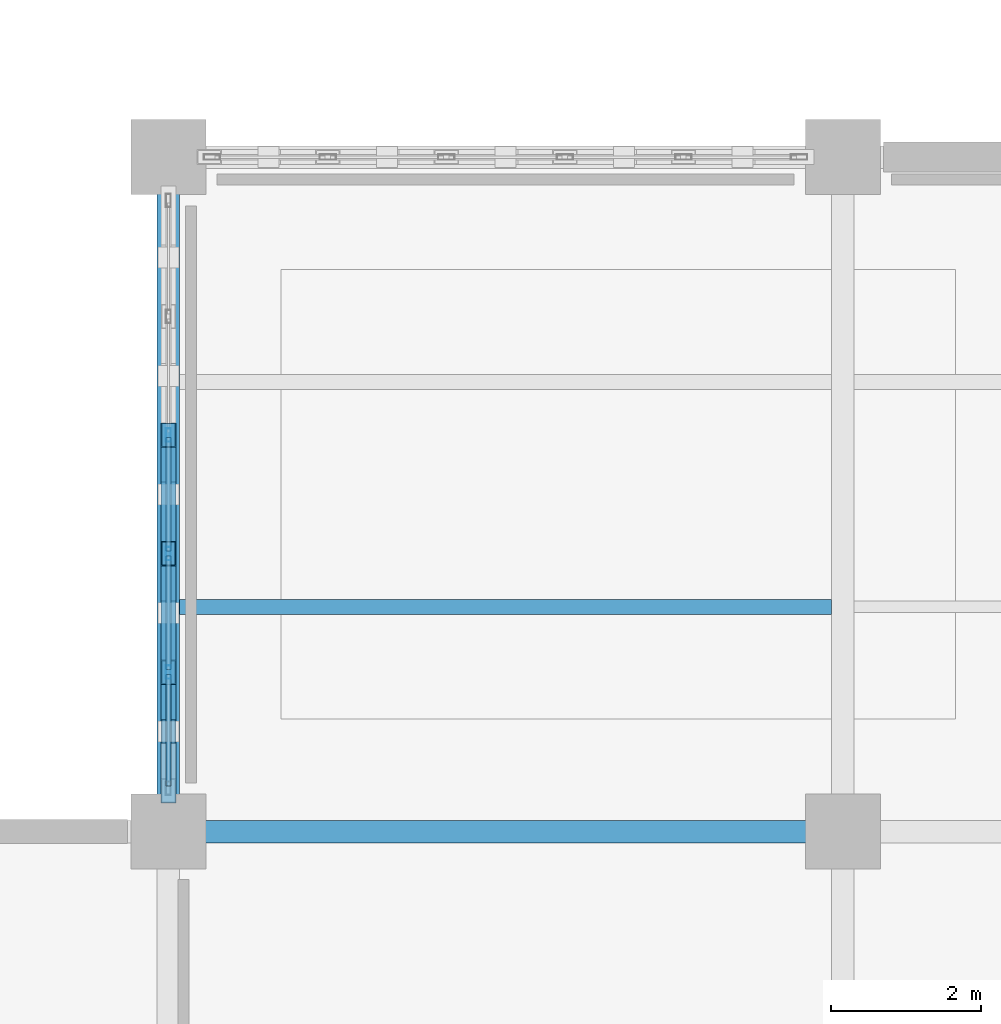
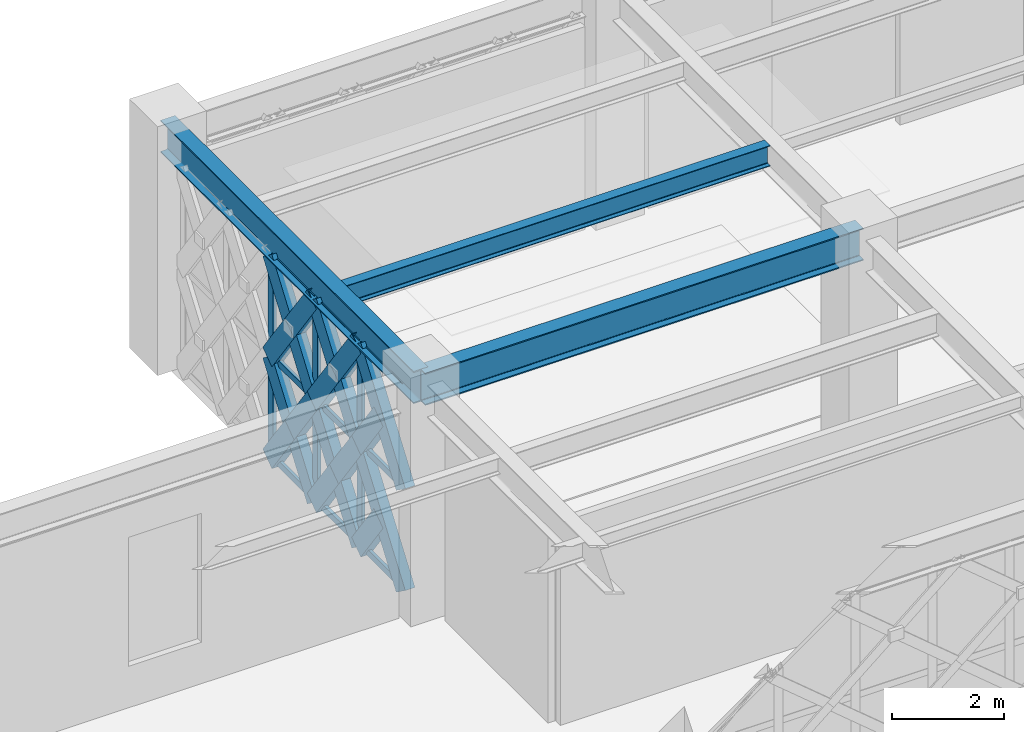
# One storey, part 40 of 140: 28 members, 3 beams, 1 element without a shape of its own.
"""IFC4 building model written with IfcOpenShell, lengths in metres."""

from ifc_helpers import new_model, si_unit, direction, frame, origin, origin_2d, place, context, subcontext, project, spatial, hollow_rectangle, i_section, extrude, material, material_profile, profile_set, type_object, element, aggregate, save


model = new_model("IFC4")

# Units and contexts
model_context = context("Model", 3, precision=1e-05, world=origin(), true_north=direction((0.0, 1.0)))
body_context = subcontext(model_context, "Body", "Model", "MODEL_VIEW")
ifc_project = project(units=[si_unit("LENGTHUNIT", "METRE"), si_unit("AREAUNIT", "SQUARE_METRE"), si_unit("VOLUMEUNIT", "CUBIC_METRE"), si_unit("PLANEANGLEUNIT", "RADIAN"), si_unit("MASSUNIT", "GRAM", prefix="KILO")], contexts=[model_context])

# Site, building, storey
site_placement = place(None, origin())
site = spatial("IfcSite", under=ifc_project, at=site_placement, CompositionType="ELEMENT")
building_placement = place(site_placement, origin())
building = spatial("IfcBuilding", under=site, at=building_placement, Name="Haizhuo Lancet Aquarium", CompositionType="ELEMENT")
storey_placement = place(building_placement, origin())
storey = spatial("IfcBuildingStorey", under=building, at=storey_placement, Name="L00", CompositionType="ELEMENT", Elevation=0.0)

# Beams
ifc_material_1 = material(Name="Steel S355", Category="steel")
ifc_material_profile_1 = material_profile(ifc_material_1, i_section(OverallWidth=0.300048828125, OverallDepth=0.699951171875, WebThickness=0.012939453125, FlangeThickness=0.02392578125, FilletRadius=0.02587890625, at=origin_2d()), Name="HN 700x300x13x24")
ifc_profile_set_1 = profile_set([ifc_material_profile_1], Name="Steel S355")
beam_type_1 = type_object("IfcBeamType", Name="BM-ST-HN700", PredefinedType="BEAM", material=ifc_profile_set_1)
for number, where, z_axis, x_axis, name in (
    (1, (-72.0, 18.0, 4.77001953125), (0.0, 1.0, 0.0), (-1.0, 0.0, 0.0), "L00 V2 primary girder BM-L00-V2-006"),
    (2, (-72.0, 18.0, 4.77001953125), (1.0, 0.0, 0.0), (0.0, 1.0, 0.0), "L00 V2 primary girder BM-L00-V2-007"),
):
    element("IfcBeam", number, at=place(storey_placement, frame(where, z_axis=z_axis, x_axis=x_axis)), inside=storey, type_object=beam_type_1, Name=name, PredefinedType="BEAM", context=body_context, shape_type="SweptSolid", body=[
        extrude(i_section(OverallWidth=0.300048828125, OverallDepth=0.699951171875, WebThickness=0.012939453125, FlangeThickness=0.02392578125, FilletRadius=0.02587890625, at=origin_2d()), origin(), (0.0, 0.0, 1.0), 9.0),
    ])

# Curtain wall, members
ifc_material_2 = material(Name="Aluminium 6063-T6", Category="aluminium")
curtain_wall_type = type_object("IfcCurtainWallType", Name="CWD-7910x4420", PredefinedType="NOTDEFINED", material=ifc_material_2)
curtain_wall_placement = place(storey_placement, origin())
curtain_wall = element("IfcCurtainWall", 3, at=curtain_wall_placement, inside=storey, type_object=curtain_wall_type, Name="L00 curtain wall CW-V2-L00-013", PredefinedType="NOTDEFINED")
ifc_material_profile_2 = material_profile(ifc_material_2, hollow_rectangle(XDim=0.06494140625, YDim=0.179931640625, WallThickness=0.00390625, at=origin_2d()), Name="ALU-M 65x180x4")
ifc_profile_set_2 = profile_set([ifc_material_profile_2], Name="Aluminium 6063-T6")
member_type_1 = type_object("IfcMemberType", Name="CW-MUL-1", PredefinedType="MULLION", material=ifc_profile_set_2)
member_1_placement = place(storey_placement, frame((-72.0, 20.126953125, 0.0), z_axis=(0.0, 0.0, 1.0), x_axis=(-1.0, 0.0, 0.0)))
member_1 = element("IfcMember", 4, at=member_1_placement, type_object=member_type_1, Name="CWD-79x44 mullion 2", PredefinedType="MULLION", context=body_context, shape_type="SweptSolid", body=[
    extrude(hollow_rectangle(XDim=0.06494140625, YDim=0.179931640625, WallThickness=0.00390625, at=origin_2d()), origin(), (0.0, 0.0, 1.0), 4.419921875),
])
member_2_placement = place(storey_placement, frame((-72.0, 21.708984375, 0.0), z_axis=(0.0, 0.0, 1.0), x_axis=(-1.0, 0.0, 0.0)))
member_2 = element("IfcMember", 5, at=member_2_placement, type_object=member_type_1, Name="CWD-79x44 mullion 3", PredefinedType="MULLION", context=body_context, shape_type="SweptSolid", body=[
    extrude(hollow_rectangle(XDim=0.06494140625, YDim=0.179931640625, WallThickness=0.00390625, at=origin_2d()), origin(), (0.0, 0.0, 1.0), 4.419921875),
])
member_3_placement = place(storey_placement, frame((-72.0, 23.291015625, 0.0), z_axis=(0.0, 0.0, 1.0), x_axis=(-1.0, 0.0, 0.0)))
member_3 = element("IfcMember", 6, at=member_3_placement, type_object=member_type_1, Name="CWD-79x44 mullion 4", PredefinedType="MULLION", context=body_context, shape_type="SweptSolid", body=[
    extrude(hollow_rectangle(XDim=0.06494140625, YDim=0.179931640625, WallThickness=0.00390625, at=origin_2d()), origin(), (0.0, 0.0, 1.0), 4.419921875),
])
ifc_material_profile_3 = material_profile(ifc_material_2, hollow_rectangle(XDim=0.06494140625, YDim=0.139892578125, WallThickness=0.00390625, at=origin_2d()), Name="ALU-T 65x140x4")
ifc_profile_set_3 = profile_set([ifc_material_profile_3], Name="Aluminium 6063-T6")
member_type_2 = type_object("IfcMemberType", Name="CW-TRN-1", PredefinedType="NOTDEFINED", material=ifc_profile_set_3)
member_4_placement = place(storey_placement, frame((-72.0, 18.610107421875, 0.032958984375), z_axis=(0.0, 1.0, 0.0), x_axis=(-1.0, 0.0, 0.0)))
member_4 = element("IfcMember", 7, at=member_4_placement, type_object=member_type_2, Name="CWD-79x44 transom 1.1", ObjectType="TRANSOM", PredefinedType="USERDEFINED", context=body_context, shape_type="SweptSolid", body=[
    extrude(hollow_rectangle(XDim=0.06494140625, YDim=0.139892578125, WallThickness=0.00390625, at=origin_2d()), origin(), (0.0, 0.0, 1.0), 1.48486328125),
])
member_5_placement = place(storey_placement, frame((-72.0, 18.610107421875, 2.2099609375), z_axis=(0.0, 1.0, 0.0), x_axis=(-1.0, 0.0, 0.0)))
member_5 = element("IfcMember", 8, at=member_5_placement, type_object=member_type_2, Name="CWD-79x44 transom 1.2", ObjectType="TRANSOM", PredefinedType="USERDEFINED", context=body_context, shape_type="SweptSolid", body=[
    extrude(hollow_rectangle(XDim=0.06494140625, YDim=0.139892578125, WallThickness=0.00390625, at=origin_2d()), origin(), (0.0, 0.0, 1.0), 1.48486328125),
])
member_6_placement = place(storey_placement, frame((-72.0, 18.610107421875, 4.387939453125), z_axis=(0.0, 1.0, 0.0), x_axis=(-1.0, 0.0, 0.0)))
member_6 = element("IfcMember", 9, at=member_6_placement, type_object=member_type_2, Name="CWD-79x44 transom 1.3", ObjectType="TRANSOM", PredefinedType="USERDEFINED", context=body_context, shape_type="SweptSolid", body=[
    extrude(hollow_rectangle(XDim=0.06494140625, YDim=0.139892578125, WallThickness=0.00390625, at=origin_2d()), origin(), (0.0, 0.0, 1.0), 1.48486328125),
])
member_7_placement = place(storey_placement, frame((-72.0, 20.159912109375, 0.032958984375), z_axis=(0.0, 1.0, 0.0), x_axis=(-1.0, 0.0, 0.0)))
member_7 = element("IfcMember", 10, at=member_7_placement, type_object=member_type_2, Name="CWD-79x44 transom 2.1", ObjectType="TRANSOM", PredefinedType="USERDEFINED", context=body_context, shape_type="SweptSolid", body=[
    extrude(hollow_rectangle(XDim=0.06494140625, YDim=0.139892578125, WallThickness=0.00390625, at=origin_2d()), origin(), (0.0, 0.0, 1.0), 1.51708984375),
])
member_8_placement = place(storey_placement, frame((-72.0, 20.159912109375, 2.2099609375), z_axis=(0.0, 1.0, 0.0), x_axis=(-1.0, 0.0, 0.0)))
member_8 = element("IfcMember", 11, at=member_8_placement, type_object=member_type_2, Name="CWD-79x44 transom 2.2", ObjectType="TRANSOM", PredefinedType="USERDEFINED", context=body_context, shape_type="SweptSolid", body=[
    extrude(hollow_rectangle(XDim=0.06494140625, YDim=0.139892578125, WallThickness=0.00390625, at=origin_2d()), origin(), (0.0, 0.0, 1.0), 1.51708984375),
])
member_9_placement = place(storey_placement, frame((-72.0, 20.159912109375, 4.387939453125), z_axis=(0.0, 1.0, 0.0), x_axis=(-1.0, 0.0, 0.0)))
member_9 = element("IfcMember", 12, at=member_9_placement, type_object=member_type_2, Name="CWD-79x44 transom 2.3", ObjectType="TRANSOM", PredefinedType="USERDEFINED", context=body_context, shape_type="SweptSolid", body=[
    extrude(hollow_rectangle(XDim=0.06494140625, YDim=0.139892578125, WallThickness=0.00390625, at=origin_2d()), origin(), (0.0, 0.0, 1.0), 1.51708984375),
])
member_10_placement = place(storey_placement, frame((-72.0, 21.741943359375, 0.032958984375), z_axis=(0.0, 1.0, 0.0), x_axis=(-1.0, 0.0, 0.0)))
member_10 = element("IfcMember", 13, at=member_10_placement, type_object=member_type_2, Name="CWD-79x44 transom 3.1", ObjectType="TRANSOM", PredefinedType="USERDEFINED", context=body_context, shape_type="SweptSolid", body=[
    extrude(hollow_rectangle(XDim=0.06494140625, YDim=0.139892578125, WallThickness=0.00390625, at=origin_2d()), origin(), (0.0, 0.0, 1.0), 1.51708984375),
])
member_11_placement = place(storey_placement, frame((-72.0, 21.741943359375, 2.2099609375), z_axis=(0.0, 1.0, 0.0), x_axis=(-1.0, 0.0, 0.0)))
member_11 = element("IfcMember", 14, at=member_11_placement, type_object=member_type_2, Name="CWD-79x44 transom 3.2", ObjectType="TRANSOM", PredefinedType="USERDEFINED", context=body_context, shape_type="SweptSolid", body=[
    extrude(hollow_rectangle(XDim=0.06494140625, YDim=0.139892578125, WallThickness=0.00390625, at=origin_2d()), origin(), (0.0, 0.0, 1.0), 1.51708984375),
])
member_12_placement = place(storey_placement, frame((-72.0, 21.741943359375, 4.387939453125), z_axis=(0.0, 1.0, 0.0), x_axis=(-1.0, 0.0, 0.0)))
member_12 = element("IfcMember", 15, at=member_12_placement, type_object=member_type_2, Name="CWD-79x44 transom 3.3", ObjectType="TRANSOM", PredefinedType="USERDEFINED", context=body_context, shape_type="SweptSolid", body=[
    extrude(hollow_rectangle(XDim=0.06494140625, YDim=0.139892578125, WallThickness=0.00390625, at=origin_2d()), origin(), (0.0, 0.0, 1.0), 1.51708984375),
])
aggregate(curtain_wall, [member_1, member_2, member_3, member_4, member_5, member_6, member_7, member_8, member_9, member_10, member_11, member_12])

# Beam
ifc_material_profile_4 = material_profile(ifc_material_1, i_section(OverallWidth=0.199951171875, OverallDepth=0.449951171875, WebThickness=0.009033203125, FlangeThickness=0.013916015625, FilletRadius=0.01806640625, at=origin_2d()), Name="HN 450x200x9x14")
ifc_profile_set_4 = profile_set([ifc_material_profile_4], Name="Steel S355")
beam_type_2 = type_object("IfcBeamType", Name="JST-ST-HN450", PredefinedType="JOIST", material=ifc_profile_set_4)
beam_placement = place(storey_placement, frame((-71.85009765625, 21.0, 4.89501953125), z_axis=(1.0, 0.0, 0.0), x_axis=(0.0, 1.0, 0.0)))
element("IfcBeam", 16, at=beam_placement, inside=storey, type_object=beam_type_2, Name="L00 V2 secondary floor joist 5", PredefinedType="JOIST", context=body_context, shape_type="SweptSolid", body=[
    extrude(i_section(OverallWidth=0.199951171875, OverallDepth=0.449951171875, WebThickness=0.009033203125, FlangeThickness=0.013916015625, FilletRadius=0.01806640625, at=origin_2d()), origin(), (0.0, 0.0, 1.0), 8.7001953125),
])

# Members
ifc_material_profile_5 = material_profile(ifc_material_1, hollow_rectangle(XDim=0.199951171875, YDim=0.39990234375, WallThickness=0.011962890625, at=origin_2d()), Name="RHS 200x400x12")
ifc_profile_set_5 = profile_set([ifc_material_profile_5], Name="Steel S355")
member_type_3 = type_object("IfcMemberType", Name="MEM-LB-RHS200x400", PredefinedType="BRACE", material=ifc_profile_set_5)
member_13_placement = place(storey_placement, frame((-72.0, 18.544921875, 0.0), z_axis=(0.0, 0.582087604305, 0.813126079347), x_axis=(-1.0, 0.0, 0.0)))
element("IfcMember", 17, at=member_13_placement, inside=storey, type_object=member_type_3, Name="Gothic lancet continuous diagonal brace CW-V2-L00-013 1A", PredefinedType="BRACE", context=body_context, shape_type="SweptSolid", body=[
    extrude(hollow_rectangle(XDim=0.199951171875, YDim=0.39990234375, WallThickness=0.011962890625, at=origin_2d()), origin(), (0.0, 0.0, 1.0), 2.7177734375),
])
member_14_placement = place(storey_placement, frame((-72.0, 20.126953125, 0.0), z_axis=(0.0, -0.582087604305, 0.813126079347), x_axis=(1.0, 0.0, 0.0)))
element("IfcMember", 18, at=member_14_placement, inside=storey, type_object=member_type_3, Name="Gothic lancet split diagonal brace CW-V2-L00-013 1B1", PredefinedType="BRACE", context=body_context, shape_type="SweptSolid", body=[
    extrude(hollow_rectangle(XDim=0.199951171875, YDim=0.39990234375, WallThickness=0.011962890625, at=origin_2d()), origin(), (0.0, 0.0, 1.0), 1.35888671875),
])
member_15_placement = place(storey_placement, frame((-72.0, 18.544921875, 2.2099609375), z_axis=(0.0, 0.582087604305, 0.813126079347), x_axis=(-1.0, 0.0, 0.0)))
element("IfcMember", 19, at=member_15_placement, inside=storey, type_object=member_type_3, Name="Gothic lancet continuous diagonal brace CW-V2-L00-013 2A", PredefinedType="BRACE", context=body_context, shape_type="SweptSolid", body=[
    extrude(hollow_rectangle(XDim=0.199951171875, YDim=0.39990234375, WallThickness=0.011962890625, at=origin_2d()), origin(), (0.0, 0.0, 1.0), 2.7177734375),
])
member_16_placement = place(storey_placement, frame((-72.0, 20.126953125, 2.2099609375), z_axis=(0.0, -0.582087604305, 0.813126079347), x_axis=(1.0, 0.0, 0.0)))
element("IfcMember", 20, at=member_16_placement, inside=storey, type_object=member_type_3, Name="Gothic lancet split diagonal brace CW-V2-L00-013 2B1", PredefinedType="BRACE", context=body_context, shape_type="SweptSolid", body=[
    extrude(hollow_rectangle(XDim=0.199951171875, YDim=0.39990234375, WallThickness=0.011962890625, at=origin_2d()), origin(), (0.0, 0.0, 1.0), 1.35888671875),
])
member_17_placement = place(storey_placement, frame((-72.0, 20.126953125, 0.0), z_axis=(0.0, 0.582087604305, 0.813126079347), x_axis=(-1.0, 0.0, 0.0)))
element("IfcMember", 21, at=member_17_placement, inside=storey, type_object=member_type_3, Name="Gothic lancet continuous diagonal brace CW-V2-L00-013 3A", PredefinedType="BRACE", context=body_context, shape_type="SweptSolid", body=[
    extrude(hollow_rectangle(XDim=0.199951171875, YDim=0.39990234375, WallThickness=0.011962890625, at=origin_2d()), origin(), (0.0, 0.0, 1.0), 2.7177734375),
])
for number, where, z_axis, x_axis, name in (
    (22, (-72.0, 21.708984375, 0.0), (0.0, -0.582087604305, 0.813126079347), (1.0, 0.0, 0.0), "Gothic lancet split diagonal brace CW-V2-L00-013 3B1"),
    (23, (-72.0, 20.91796875, 1.10498046875), (0.0, -0.582087604305, 0.813126079347), (1.0, 0.0, 0.0), "Gothic lancet split diagonal brace CW-V2-L00-013 3B2"),
):
    element("IfcMember", number, at=place(storey_placement, frame(where, z_axis=z_axis, x_axis=x_axis)), inside=storey, type_object=member_type_3, Name=name, PredefinedType="BRACE", context=body_context, shape_type="SweptSolid", body=[
        extrude(hollow_rectangle(XDim=0.199951171875, YDim=0.39990234375, WallThickness=0.011962890625, at=origin_2d()), origin(), (0.0, 0.0, 1.0), 1.35888671875),
    ])
member_18_placement = place(storey_placement, frame((-72.0, 20.126953125, 2.2099609375), z_axis=(0.0, 0.582087604305, 0.813126079347), x_axis=(-1.0, 0.0, 0.0)))
element("IfcMember", 24, at=member_18_placement, inside=storey, type_object=member_type_3, Name="Gothic lancet continuous diagonal brace CW-V2-L00-013 4A", PredefinedType="BRACE", context=body_context, shape_type="SweptSolid", body=[
    extrude(hollow_rectangle(XDim=0.199951171875, YDim=0.39990234375, WallThickness=0.011962890625, at=origin_2d()), origin(), (0.0, 0.0, 1.0), 2.7177734375),
])
for number, where, z_axis, x_axis, name in (
    (25, (-72.0, 21.708984375, 2.2099609375), (0.0, -0.582087604305, 0.813126079347), (1.0, 0.0, 0.0), "Gothic lancet split diagonal brace CW-V2-L00-013 4B1"),
    (26, (-72.0, 20.91796875, 3.31494140625), (0.0, -0.582087604305, 0.813126079347), (1.0, 0.0, 0.0), "Gothic lancet split diagonal brace CW-V2-L00-013 4B2"),
):
    element("IfcMember", number, at=place(storey_placement, frame(where, z_axis=z_axis, x_axis=x_axis)), inside=storey, type_object=member_type_3, Name=name, PredefinedType="BRACE", context=body_context, shape_type="SweptSolid", body=[
        extrude(hollow_rectangle(XDim=0.199951171875, YDim=0.39990234375, WallThickness=0.011962890625, at=origin_2d()), origin(), (0.0, 0.0, 1.0), 1.35888671875),
    ])
member_19_placement = place(storey_placement, frame((-72.0, 21.708984375, 0.0), z_axis=(0.0, 0.582087604305, 0.813126079347), x_axis=(-1.0, 0.0, 0.0)))
element("IfcMember", 27, at=member_19_placement, inside=storey, type_object=member_type_3, Name="Gothic lancet continuous diagonal brace CW-V2-L00-013 5A", PredefinedType="BRACE", context=body_context, shape_type="SweptSolid", body=[
    extrude(hollow_rectangle(XDim=0.199951171875, YDim=0.39990234375, WallThickness=0.011962890625, at=origin_2d()), origin(), (0.0, 0.0, 1.0), 2.7177734375),
])
for number, where, z_axis, x_axis, name in (
    (28, (-72.0, 23.291015625, 0.0), (0.0, -0.582087604305, 0.813126079347), (1.0, 0.0, 0.0), "Gothic lancet split diagonal brace CW-V2-L00-013 5B1"),
    (29, (-72.0, 22.5, 1.10498046875), (0.0, -0.582087604305, 0.813126079347), (1.0, 0.0, 0.0), "Gothic lancet split diagonal brace CW-V2-L00-013 5B2"),
):
    element("IfcMember", number, at=place(storey_placement, frame(where, z_axis=z_axis, x_axis=x_axis)), inside=storey, type_object=member_type_3, Name=name, PredefinedType="BRACE", context=body_context, shape_type="SweptSolid", body=[
        extrude(hollow_rectangle(XDim=0.199951171875, YDim=0.39990234375, WallThickness=0.011962890625, at=origin_2d()), origin(), (0.0, 0.0, 1.0), 1.35888671875),
    ])
member_20_placement = place(storey_placement, frame((-72.0, 21.708984375, 2.2099609375), z_axis=(0.0, 0.582087604305, 0.813126079347), x_axis=(-1.0, 0.0, 0.0)))
element("IfcMember", 30, at=member_20_placement, inside=storey, type_object=member_type_3, Name="Gothic lancet continuous diagonal brace CW-V2-L00-013 6A", PredefinedType="BRACE", context=body_context, shape_type="SweptSolid", body=[
    extrude(hollow_rectangle(XDim=0.199951171875, YDim=0.39990234375, WallThickness=0.011962890625, at=origin_2d()), origin(), (0.0, 0.0, 1.0), 2.7177734375),
])
for number, where, z_axis, x_axis, name in (
    (31, (-72.0, 23.291015625, 2.2099609375), (0.0, -0.582087604305, 0.813126079347), (1.0, 0.0, 0.0), "Gothic lancet split diagonal brace CW-V2-L00-013 6B1"),
    (32, (-72.0, 22.5, 3.31494140625), (0.0, -0.582087604305, 0.813126079347), (1.0, 0.0, 0.0), "Gothic lancet split diagonal brace CW-V2-L00-013 6B2"),
):
    element("IfcMember", number, at=place(storey_placement, frame(where, z_axis=z_axis, x_axis=x_axis)), inside=storey, type_object=member_type_3, Name=name, PredefinedType="BRACE", context=body_context, shape_type="SweptSolid", body=[
        extrude(hollow_rectangle(XDim=0.199951171875, YDim=0.39990234375, WallThickness=0.011962890625, at=origin_2d()), origin(), (0.0, 0.0, 1.0), 1.35888671875),
    ])

save(model, "model.ifc")
